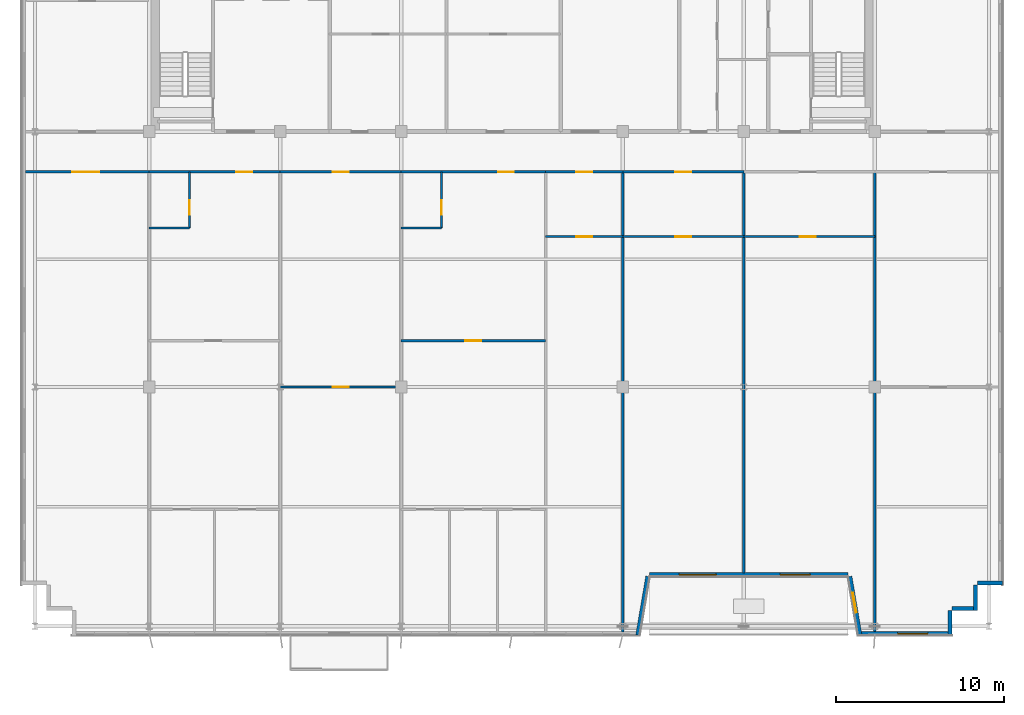
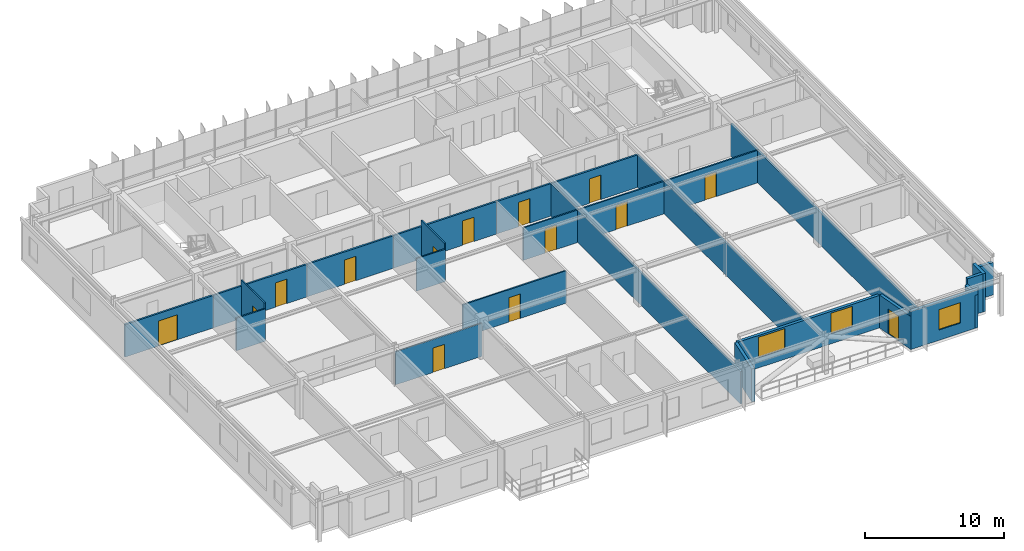
# One storey, part 18 of 23: 26 walls, 14 doors, 3 windows, 17 openings.
"""IFC4 building model written with IfcOpenShell, lengths in metres."""

from ifc_helpers import new_model, si_unit, direction, frame, frame_2d, origin, place, context, subcontext, project, spatial, rectangle, extrude, source, transform, mapped, material, layer, layer_set, type_object, element, fill, save


model = new_model("IFC4")

# Units and contexts
model_context = context("Model", 3, precision=1e-05, world=origin(), true_north=direction((0.0, 1.0)))
body_context = subcontext(model_context, "Body", "Model", "MODEL_VIEW")
ifc_project = project(units=[si_unit("LENGTHUNIT", "METRE"), si_unit("AREAUNIT", "SQUARE_METRE"), si_unit("VOLUMEUNIT", "CUBIC_METRE"), si_unit("PLANEANGLEUNIT", "RADIAN"), si_unit("MASSUNIT", "GRAM", prefix="KILO")], contexts=[model_context])

# Site, building, storey
site_placement = place(None, origin())
site = spatial("IfcSite", under=ifc_project, at=site_placement, CompositionType="ELEMENT")
building_placement = place(site_placement, origin())
building = spatial("IfcBuilding", under=site, at=building_placement, Name="Trelvane Seafront Commons", CompositionType="ELEMENT")
storey_placement = place(building_placement, frame((0.0, 0.0, 230.10009765625)))
storey = spatial("IfcBuildingStorey", under=building, at=storey_placement, Name="L60", CompositionType="ELEMENT", Elevation=230.10009765625)

# Walls
ifc_material_1 = material(Name="Precast concrete C40/50", Category="concrete")
ifc_layer_1 = layer(ifc_material_1, 0.239990234375, Name="ARCH-WALL-EXT240")
ifc_layer_set_1 = layer_set([ifc_layer_1], Name="Precast concrete C40/50")
wall_type_1 = type_object("IfcWallType", Name="ARCH-WALL-EXT240", PredefinedType="SOLIDWALL", material=ifc_layer_set_1)
wall_1_placement = place(storey_placement, frame((66.39990234375, 6.52001953125, 0.0), z_axis=(0.0, 0.0, 1.0), x_axis=(-1.0, 0.0, 0.0)))
element("IfcWall", 1, at=wall_1_placement, inside=storey, type_object=wall_type_1, Name="EW-L60-01219", PredefinedType="SOLIDWALL", context=body_context, shape_type="SweptSolid", body=[
    extrude(rectangle(XDim=1.5, YDim=0.239990234375, at=frame_2d((0.75, 0.0))), origin(), (0.0, 0.0, 1.0), 2.85986328125),
])
for number, where, z_axis, x_axis, name in (
    (2, (64.780029296875, 6.39990234375, 0.0), (0.0, 0.0, 1.0), (0.0, -1.0, 0.0), "EW-L60-01220"),
    (3, (64.89990234375, 5.02001953125, 0.0), (0.0, 0.0, 1.0), (-1.0, 0.0, 0.0), "EW-L60-01221"),
):
    element("IfcWall", number, at=place(storey_placement, frame(where, z_axis=z_axis, x_axis=x_axis)), inside=storey, type_object=wall_type_1, Name=name, PredefinedType="SOLIDWALL", context=body_context, shape_type="SweptSolid", body=[
        extrude(rectangle(XDim=1.5, YDim=0.239990234375, at=frame_2d((0.75, 0.0))), origin(), (0.0, 0.0, 1.0), 3.35986328125),
    ])
wall_2_placement = place(storey_placement, frame((63.280029296875, 4.89990234375, 0.0), z_axis=(0.0, 0.0, 1.0), x_axis=(0.0, -1.0, 0.0)))
element("IfcWall", 4, at=wall_2_placement, inside=storey, type_object=wall_type_1, Name="EW-L60-01222", PredefinedType="SOLIDWALL", context=body_context, shape_type="SweptSolid", body=[
    extrude(rectangle(XDim=1.5, YDim=0.239990234375, at=frame_2d((0.75, 0.0))), origin(), (0.0, 0.0, 1.0), 2.909912109375),
])

# Wall, opening, window
wall_3_placement = place(storey_placement, frame((63.39990234375, 3.52001953125, 0.0), z_axis=(0.0, 0.0, 1.0), x_axis=(-1.0, 0.0, 0.0)))
wall_3 = element("IfcWall", 5, at=wall_3_placement, inside=storey, type_object=wall_type_1, Name="EW-L60-01223", PredefinedType="SOLIDWALL", context=body_context, shape_type="SweptSolid", body=[
    extrude(rectangle(XDim=5.599853515625, YDim=0.239990234375, at=frame_2d((2.7998046875, 0.0))), origin(), (0.0, 0.0, 1.0), 3.35986328125),
])
opening_1_placement = place(wall_3_placement, frame((1.445068359375, 0.0, 0.89990234375)))
opening_1 = element("IfcOpeningElement", 6, at=opening_1_placement, cuts=wall_3, Name="Opening W01", PredefinedType="OPENING", context=body_context, shape_type="SweptSolid", body=[
    extrude(rectangle(XDim=1.800048828125, YDim=1.800048828125, at=frame_2d((0.89990234375, 0.89990234375))), frame((0.0, 0.1298828125, 0.0), z_axis=(0.0, -1.0, 0.0), x_axis=(1.0, 0.0, 0.0)), (0.0, 0.0, 1.0), 0.260009765625),
])
ifc_material_2 = material(Name="Low-E coastal double glazing", Category="glass")
window_type_1 = type_object("IfcWindowType", Name="ARCH-WIN-W01", PartitioningType="SINGLE_PANEL", PredefinedType="WINDOW", material=ifc_material_2)
shared_shape_1 = source(origin(), body_context, "Body", "SweptSolid", [
    extrude(rectangle(XDim=1.800048828125, YDim=1.800048828125, at=frame_2d((0.89990234375, 0.89990234375))), frame((0.0, 0.030029296875, 0.0), z_axis=(0.0, -1.0, 0.0), x_axis=(1.0, 0.0, 0.0)), (0.0, 0.0, 1.0), 0.06005859375),
])
window_1_placement = place(opening_1_placement, origin())
window_1 = element("IfcWindow", 7, at=window_1_placement, inside=storey, type_object=window_type_1, Name="WIN-L60-01478", OverallHeight=1.800048828125, OverallWidth=1.800048828125, PartitioningType="SINGLE_PANEL", PredefinedType="WINDOW", context=body_context, shape_type="MappedRepresentation", body=[
    mapped(shared_shape_1, transform((0.0, 0.0, 0.0), x_axis=(1.0, 0.0, 0.0), y_axis=(0.0, 1.0, 0.0), z_axis=(0.0, 0.0, 1.0), scale=1.0)),
])
fill(opening_1, window_1)

# Wall, opening, door
wall_4_placement = place(storey_placement, frame((57.918212890625, 3.42041015625, 0.0), z_axis=(0.0, 0.0, 1.0), x_axis=(-0.168923741424, 0.98562912375, 0.0)))
wall_4 = element("IfcWall", 8, at=wall_4_placement, inside=storey, type_object=wall_type_1, Name="EW-L60-01224", PredefinedType="SOLIDWALL", context=body_context, shape_type="SweptSolid", body=[
    extrude(rectangle(XDim=3.551025390625, YDim=0.239990234375, at=frame_2d((1.775390625, 0.0))), origin(), (0.0, 0.0, 1.0), 2.909912109375),
])
opening_2_placement = place(wall_4_placement, frame((1.3740234375, 0.0, 0.0)))
opening_2 = element("IfcOpeningElement", 9, at=opening_2_placement, cuts=wall_4, Name="Opening TD-L60-126", PredefinedType="OPENING", context=body_context, shape_type="SweptSolid", body=[
    extrude(rectangle(XDim=1.199951171875, YDim=2.199951171875, at=frame_2d((0.60009765625, 1.10009765625))), frame((0.0, 0.1298828125, 0.0), z_axis=(0.0, -1.0, 0.0), x_axis=(1.0, 0.0, 0.0)), (0.0, 0.0, 1.0), 0.260009765625),
])
ifc_material_3 = material(Name="Powder-coated aluminium frame", Category="aluminium")
door_type_1 = type_object("IfcDoorType", Name="ARCH-DR-BAL1200", OperationType="NOTDEFINED", PredefinedType="DOOR", material=ifc_material_3)
shared_shape_2 = source(origin(), body_context, "Body", "SweptSolid", [
    extrude(rectangle(XDim=1.199951171875, YDim=2.199951171875, at=frame_2d((0.60009765625, 1.10009765625))), frame((0.0, 0.02490234375, 0.0), z_axis=(0.0, -1.0, 0.0), x_axis=(1.0, 0.0, 0.0)), (0.0, 0.0, 1.0), 0.050048828125),
])
door_1_placement = place(opening_2_placement, origin())
door_1 = element("IfcDoor", 10, at=door_1_placement, inside=storey, type_object=door_type_1, Name="L60 Setback Terrace Access Door", OperationType="SINGLE_SWING_RIGHT", OverallHeight=2.199951171875, OverallWidth=1.199951171875, PredefinedType="DOOR", context=body_context, shape_type="MappedRepresentation", body=[
    mapped(shared_shape_2, transform((0.0, 0.0, 0.0), x_axis=(1.0, 0.0, 0.0), y_axis=(0.0, 1.0, 0.0), z_axis=(0.0, 0.0, 1.0), scale=1.0)),
])
fill(opening_2, door_1)

# Wall, openings, windows
wall_5_placement = place(storey_placement, frame((57.199951171875, 7.02001953125, 0.0), z_axis=(0.0, 0.0, 1.0), x_axis=(-1.0, 0.0, 0.0)))
wall_5 = element("IfcWall", 11, at=wall_5_placement, inside=storey, type_object=wall_type_1, Name="EW-L60-01225", PredefinedType="SOLIDWALL", context=body_context, shape_type="SweptSolid", body=[
    extrude(rectangle(XDim=11.800048828125, YDim=0.239990234375, at=frame_2d((5.89990234375, 0.0))), origin(), (0.0, 0.0, 1.0), 2.85986328125),
])
opening_3_placement = place(wall_5_placement, frame((2.2451171875, 0.0, 0.89990234375)))
opening_3 = element("IfcOpeningElement", 12, at=opening_3_placement, cuts=wall_5, Name="Opening W01", PredefinedType="OPENING", context=body_context, shape_type="SweptSolid", body=[
    extrude(rectangle(XDim=1.800048828125, YDim=1.800048828125, at=frame_2d((0.89990234375, 0.89990234375))), frame((0.0, 0.1298828125, 0.0), z_axis=(0.0, -1.0, 0.0), x_axis=(1.0, 0.0, 0.0)), (0.0, 0.0, 1.0), 0.260009765625),
])
opening_4_placement = place(wall_5_placement, frame((7.85498046875, 0.0, 0.89990234375)))
opening_4 = element("IfcOpeningElement", 13, at=opening_4_placement, cuts=wall_5, Name="Opening W02", PredefinedType="OPENING", context=body_context, shape_type="SweptSolid", body=[
    extrude(rectangle(XDim=2.199951171875, YDim=1.800048828125, at=frame_2d((1.10009765625, 0.89990234375))), frame((0.0, 0.1298828125, 0.0), z_axis=(0.0, -1.0, 0.0), x_axis=(1.0, 0.0, 0.0)), (0.0, 0.0, 1.0), 0.260009765625),
])
window_type_2 = type_object("IfcWindowType", Name="ARCH-WIN-W02", PartitioningType="SINGLE_PANEL", PredefinedType="WINDOW", material=ifc_material_2)
shared_shape_3 = source(origin(), body_context, "Body", "SweptSolid", [
    extrude(rectangle(XDim=2.199951171875, YDim=1.800048828125, at=frame_2d((1.10009765625, 0.89990234375))), frame((0.0, 0.030029296875, 0.0), z_axis=(0.0, -1.0, 0.0), x_axis=(1.0, 0.0, 0.0)), (0.0, 0.0, 1.0), 0.06005859375),
])
window_2_placement = place(opening_4_placement, origin())
window_2 = element("IfcWindow", 14, at=window_2_placement, inside=storey, type_object=window_type_2, Name="WIN-L60-01480", OverallHeight=1.800048828125, OverallWidth=2.199951171875, PartitioningType="SINGLE_PANEL", PredefinedType="WINDOW", context=body_context, shape_type="MappedRepresentation", body=[
    mapped(shared_shape_3, transform((0.0, 0.0, 0.0), x_axis=(1.0, 0.0, 0.0), y_axis=(0.0, 1.0, 0.0), z_axis=(0.0, 0.0, 1.0), scale=1.0)),
])
fill(opening_4, window_2)
window_3_placement = place(opening_3_placement, origin())
window_3 = element("IfcWindow", 15, at=window_3_placement, inside=storey, type_object=window_type_1, Name="WIN-L60-01479", OverallHeight=1.800048828125, OverallWidth=1.800048828125, PartitioningType="SINGLE_PANEL", PredefinedType="WINDOW", context=body_context, shape_type="MappedRepresentation", body=[
    mapped(shared_shape_1, transform((0.0, 0.0, 0.0), x_axis=(1.0, 0.0, 0.0), y_axis=(0.0, 1.0, 0.0), z_axis=(0.0, 0.0, 1.0), scale=1.0)),
])
fill(opening_3, window_3)

# Wall
wall_6_placement = place(storey_placement, frame((45.28173828125, 6.92041015625, 0.0), z_axis=(0.0, 0.0, 1.0), x_axis=(-0.168990530437, -0.98561767467, 0.0)))
element("IfcWall", 16, at=wall_6_placement, inside=storey, type_object=wall_type_1, Name="EW-L60-01226", PredefinedType="SOLIDWALL", context=body_context, shape_type="SweptSolid", body=[
    extrude(rectangle(XDim=3.551025390625, YDim=0.239990234375, at=frame_2d((1.775390625, 0.0))), origin(), (0.0, 0.0, 1.0), 2.909912109375),
])

# Wall, opening, door
ifc_material_4 = material(Name="Gypsum Drywall Acoustic Partition")
ifc_layer_2 = layer(ifc_material_4, 0.1201171875, Name="ARCH-WALL-PART120")
ifc_layer_set_2 = layer_set([ifc_layer_2], Name="Gypsum Drywall Acoustic Partition")
wall_type_2 = type_object("IfcWallType", Name="ARCH-WALL-PART120", PredefinedType="PARTITIONING", material=ifc_layer_set_2)
wall_7_placement = place(storey_placement, frame((18.0, 27.64990234375, 0.0), z_axis=(0.0, 0.0, 1.0), x_axis=(0.0, 1.0, 0.0)))
wall_7 = element("IfcWall", 17, at=wall_7_placement, inside=storey, type_object=wall_type_2, Name="W-L60-U2-BE-050", PredefinedType="PARTITIONING", context=body_context, shape_type="SweptSolid", body=[
    extrude(rectangle(XDim=3.35009765625, YDim=0.1201171875, at=frame_2d((1.675048828125, 0.0))), origin(), (0.0, 0.0, 1.0), 3.35986328125),
])
opening_5_placement = place(wall_7_placement, frame((0.800048828125, 0.0, 0.0)))
opening_5 = element("IfcOpeningElement", 18, at=opening_5_placement, cuts=wall_7, Name="Opening D-L60-30", PredefinedType="OPENING", context=body_context, shape_type="SweptSolid", body=[
    extrude(rectangle(XDim=0.85009765625, YDim=2.10009765625, at=frame_2d((0.425048828125, 1.050048828125))), frame((0.0, 0.070068359375, 0.0), z_axis=(0.0, -1.0, 0.0), x_axis=(1.0, 0.0, 0.0)), (0.0, 0.0, 1.0), 0.14013671875),
])
ifc_material_5 = material(Name="Acoustic timber door leaf", Category="wood")
door_type_2 = type_object("IfcDoorType", Name="ARCH-DR-INT850", OperationType="NOTDEFINED", PredefinedType="DOOR", material=ifc_material_5)
shared_shape_4 = source(origin(), body_context, "Body", "SweptSolid", [
    extrude(rectangle(XDim=0.85009765625, YDim=2.10009765625, at=frame_2d((0.425048828125, 1.050048828125))), frame((0.0, 0.02490234375, 0.0), z_axis=(0.0, -1.0, 0.0), x_axis=(1.0, 0.0, 0.0)), (0.0, 0.0, 1.0), 0.050048828125),
])
door_2_placement = place(opening_5_placement, origin())
door_2 = element("IfcDoor", 19, at=door_2_placement, inside=storey, type_object=door_type_2, Name="L60 Door 30", OperationType="SINGLE_SWING_RIGHT", OverallHeight=2.10009765625, OverallWidth=0.85009765625, PredefinedType="DOOR", context=body_context, shape_type="MappedRepresentation", body=[
    mapped(shared_shape_4, transform((0.0, 0.0, 0.0), x_axis=(1.0, 0.0, 0.0), y_axis=(0.0, 1.0, 0.0), z_axis=(0.0, 0.0, 1.0), scale=1.0)),
])
fill(opening_5, door_2)

# Wall
wall_8_placement = place(storey_placement, frame((15.60009765625, 27.64990234375, 0.0), z_axis=(0.0, 0.0, 1.0), x_axis=(1.0, 0.0, 0.0)))
element("IfcWall", 20, at=wall_8_placement, inside=storey, type_object=wall_type_2, Name="W-L60-U2-BS-051", PredefinedType="PARTITIONING", context=body_context, shape_type="SweptSolid", body=[
    extrude(rectangle(XDim=2.39990234375, YDim=0.1201171875, at=frame_2d((1.199951171875, 0.0))), origin(), (0.0, 0.0, 1.0), 2.85986328125),
])

# Wall, opening, door
wall_9_placement = place(storey_placement, frame((23.39990234375, 18.199951171875, 0.0), z_axis=(0.0, 0.0, 1.0), x_axis=(1.0, 0.0, 0.0)))
wall_9 = element("IfcWall", 21, at=wall_9_placement, inside=storey, type_object=wall_type_2, Name="W-L60-U3-DIV-057", PredefinedType="PARTITIONING", context=body_context, shape_type="SweptSolid", body=[
    extrude(rectangle(XDim=7.2001953125, YDim=0.1201171875, at=frame_2d((3.60009765625, 0.0))), origin(), (0.0, 0.0, 1.0), 2.909912109375),
])
opening_6_placement = place(wall_9_placement, frame((3.125, 0.0, 0.0)))
opening_6 = element("IfcOpeningElement", 22, at=opening_6_placement, cuts=wall_9, Name="Opening D-L60-35", PredefinedType="OPENING", context=body_context, shape_type="SweptSolid", body=[
    extrude(rectangle(XDim=0.949951171875, YDim=2.14990234375, at=frame_2d((0.47509765625, 1.074951171875))), frame((0.0, 0.070068359375, 0.0), z_axis=(0.0, -1.0, 0.0), x_axis=(1.0, 0.0, 0.0)), (0.0, 0.0, 1.0), 0.14013671875),
])
door_type_3 = type_object("IfcDoorType", Name="ARCH-DR-INT950", OperationType="NOTDEFINED", PredefinedType="DOOR", material=ifc_material_5)
shared_shape_5 = source(origin(), body_context, "Body", "SweptSolid", [
    extrude(rectangle(XDim=0.949951171875, YDim=2.14990234375, at=frame_2d((0.47509765625, 1.074951171875))), frame((0.0, 0.02490234375, 0.0), z_axis=(0.0, -1.0, 0.0), x_axis=(1.0, 0.0, 0.0)), (0.0, 0.0, 1.0), 0.050048828125),
])
door_3_placement = place(opening_6_placement, origin())
door_3 = element("IfcDoor", 23, at=door_3_placement, inside=storey, type_object=door_type_3, Name="L60 Door 35", OperationType="SINGLE_SWING_LEFT", OverallHeight=2.14990234375, OverallWidth=0.949951171875, PredefinedType="DOOR", context=body_context, shape_type="MappedRepresentation", body=[
    mapped(shared_shape_5, transform((0.0, 0.0, 0.0), x_axis=(1.0, 0.0, 0.0), y_axis=(0.0, 1.0, 0.0), z_axis=(0.0, 0.0, 1.0), scale=1.0)),
])
fill(opening_6, door_3)

wall_10_placement = place(storey_placement, frame((30.60009765625, 20.949951171875, 0.0), z_axis=(0.0, 0.0, 1.0), x_axis=(1.0, 0.0, 0.0)))
wall_10 = element("IfcWall", 24, at=wall_10_placement, inside=storey, type_object=wall_type_2, Name="W-L60-U4-KL-058", PredefinedType="PARTITIONING", context=body_context, shape_type="SweptSolid", body=[
    extrude(rectangle(XDim=8.599853515625, YDim=0.1201171875, at=frame_2d((4.2998046875, 0.0))), origin(), (0.0, 0.0, 1.0), 2.85986328125),
])
opening_7_placement = place(wall_10_placement, frame((3.824951171875, 0.0, 0.0)))
opening_7 = element("IfcOpeningElement", 25, at=opening_7_placement, cuts=wall_10, Name="Opening D-L60-36", PredefinedType="OPENING", context=body_context, shape_type="SweptSolid", body=[
    extrude(rectangle(XDim=0.949951171875, YDim=2.14990234375, at=frame_2d((0.47509765625, 1.074951171875))), frame((0.0, 0.070068359375, 0.0), z_axis=(0.0, -1.0, 0.0), x_axis=(1.0, 0.0, 0.0)), (0.0, 0.0, 1.0), 0.14013671875),
])
door_4_placement = place(opening_7_placement, origin())
door_4 = element("IfcDoor", 26, at=door_4_placement, inside=storey, type_object=door_type_3, Name="L60 Door 36", OperationType="SINGLE_SWING_RIGHT", OverallHeight=2.14990234375, OverallWidth=0.949951171875, PredefinedType="DOOR", context=body_context, shape_type="MappedRepresentation", body=[
    mapped(shared_shape_5, transform((0.0, 0.0, 0.0), x_axis=(1.0, 0.0, 0.0), y_axis=(0.0, 1.0, 0.0), z_axis=(0.0, 0.0, 1.0), scale=1.0)),
])
fill(opening_7, door_4)

wall_11_placement = place(storey_placement, frame((33.0, 27.64990234375, 0.0), z_axis=(0.0, 0.0, 1.0), x_axis=(0.0, 1.0, 0.0)))
wall_11 = element("IfcWall", 27, at=wall_11_placement, inside=storey, type_object=wall_type_2, Name="W-L60-U4-BE-059", PredefinedType="PARTITIONING", context=body_context, shape_type="SweptSolid", body=[
    extrude(rectangle(XDim=3.35009765625, YDim=0.1201171875, at=frame_2d((1.675048828125, 0.0))), origin(), (0.0, 0.0, 1.0), 3.35986328125),
])
opening_8_placement = place(wall_11_placement, frame((0.800048828125, 0.0, 0.0)))
opening_8 = element("IfcOpeningElement", 28, at=opening_8_placement, cuts=wall_11, Name="Opening D-L60-37", PredefinedType="OPENING", context=body_context, shape_type="SweptSolid", body=[
    extrude(rectangle(XDim=0.85009765625, YDim=2.10009765625, at=frame_2d((0.425048828125, 1.050048828125))), frame((0.0, 0.070068359375, 0.0), z_axis=(0.0, -1.0, 0.0), x_axis=(1.0, 0.0, 0.0)), (0.0, 0.0, 1.0), 0.14013671875),
])
door_5_placement = place(opening_8_placement, origin())
door_5 = element("IfcDoor", 29, at=door_5_placement, inside=storey, type_object=door_type_2, Name="L60 Door 37", OperationType="SINGLE_SWING_LEFT", OverallHeight=2.10009765625, OverallWidth=0.85009765625, PredefinedType="DOOR", context=body_context, shape_type="MappedRepresentation", body=[
    mapped(shared_shape_4, transform((0.0, 0.0, 0.0), x_axis=(1.0, 0.0, 0.0), y_axis=(0.0, 1.0, 0.0), z_axis=(0.0, 0.0, 1.0), scale=1.0)),
])
fill(opening_8, door_5)

# Wall
wall_12_placement = place(storey_placement, frame((30.60009765625, 27.64990234375, 0.0), z_axis=(0.0, 0.0, 1.0), x_axis=(1.0, 0.0, 0.0)))
element("IfcWall", 30, at=wall_12_placement, inside=storey, type_object=wall_type_2, Name="W-L60-U4-BS-060", PredefinedType="PARTITIONING", context=body_context, shape_type="SweptSolid", body=[
    extrude(rectangle(XDim=2.39990234375, YDim=0.1201171875, at=frame_2d((1.199951171875, 0.0))), origin(), (0.0, 0.0, 1.0), 2.85986328125),
])

# Wall, opening, door
wall_13_placement = place(storey_placement, frame((39.199951171875, 27.14990234375, 0.0), z_axis=(0.0, 0.0, 1.0), x_axis=(1.0, 0.0, 0.0)))
wall_13 = element("IfcWall", 31, at=wall_13_placement, inside=storey, type_object=wall_type_2, Name="W-L60-U5-DIV-068", PredefinedType="PARTITIONING", context=body_context, shape_type="SweptSolid", body=[
    extrude(rectangle(XDim=4.60009765625, YDim=0.1201171875, at=frame_2d((2.300048828125, 0.0))), origin(), (0.0, 0.0, 1.0), 2.85986328125),
])
opening_9_placement = place(wall_13_placement, frame((1.824951171875, 0.0, 0.0)))
opening_9 = element("IfcOpeningElement", 32, at=opening_9_placement, cuts=wall_13, Name="Opening D-L60-43", PredefinedType="OPENING", context=body_context, shape_type="SweptSolid", body=[
    extrude(rectangle(XDim=0.949951171875, YDim=2.14990234375, at=frame_2d((0.47509765625, 1.074951171875))), frame((0.0, 0.070068359375, 0.0), z_axis=(0.0, -1.0, 0.0), x_axis=(1.0, 0.0, 0.0)), (0.0, 0.0, 1.0), 0.14013671875),
])
door_6_placement = place(opening_9_placement, origin())
door_6 = element("IfcDoor", 33, at=door_6_placement, inside=storey, type_object=door_type_3, Name="L60 Door 43", OperationType="SINGLE_SWING_LEFT", OverallHeight=2.14990234375, OverallWidth=0.949951171875, PredefinedType="DOOR", context=body_context, shape_type="MappedRepresentation", body=[
    mapped(shared_shape_5, transform((0.0, 0.0, 0.0), x_axis=(1.0, 0.0, 0.0), y_axis=(0.0, 1.0, 0.0), z_axis=(0.0, 0.0, 1.0), scale=1.0)),
])
fill(opening_9, door_6)

wall_14_placement = place(storey_placement, frame((43.800048828125, 27.14990234375, 0.0), z_axis=(0.0, 0.0, 1.0), x_axis=(1.0, 0.0, 0.0)))
wall_14 = element("IfcWall", 34, at=wall_14_placement, inside=storey, type_object=wall_type_2, Name="W-L60-U6-DIV-070", PredefinedType="PARTITIONING", context=body_context, shape_type="SweptSolid", body=[
    extrude(rectangle(XDim=7.199951171875, YDim=0.1201171875, at=frame_2d((3.60009765625, 0.0))), origin(), (0.0, 0.0, 1.0), 2.85986328125),
])
opening_10_placement = place(wall_14_placement, frame((3.125, 0.0, 0.0)))
opening_10 = element("IfcOpeningElement", 35, at=opening_10_placement, cuts=wall_14, Name="Opening D-L60-45", PredefinedType="OPENING", context=body_context, shape_type="SweptSolid", body=[
    extrude(rectangle(XDim=0.949951171875, YDim=2.14990234375, at=frame_2d((0.47509765625, 1.074951171875))), frame((0.0, 0.070068359375, 0.0), z_axis=(0.0, -1.0, 0.0), x_axis=(1.0, 0.0, 0.0)), (0.0, 0.0, 1.0), 0.14013671875),
])
door_7_placement = place(opening_10_placement, origin())
door_7 = element("IfcDoor", 36, at=door_7_placement, inside=storey, type_object=door_type_3, Name="L60 Door 45", OperationType="SINGLE_SWING_LEFT", OverallHeight=2.14990234375, OverallWidth=0.949951171875, PredefinedType="DOOR", context=body_context, shape_type="MappedRepresentation", body=[
    mapped(shared_shape_5, transform((0.0, 0.0, 0.0), x_axis=(1.0, 0.0, 0.0), y_axis=(0.0, 1.0, 0.0), z_axis=(0.0, 0.0, 1.0), scale=1.0)),
])
fill(opening_10, door_7)

wall_15_placement = place(storey_placement, frame((51.0, 27.14990234375, 0.0), z_axis=(0.0, 0.0, 1.0), x_axis=(1.0, 0.0, 0.0)))
wall_15 = element("IfcWall", 37, at=wall_15_placement, inside=storey, type_object=wall_type_2, Name="W-L60-U7-DIV-072", PredefinedType="PARTITIONING", context=body_context, shape_type="SweptSolid", body=[
    extrude(rectangle(XDim=7.800048828125, YDim=0.1201171875, at=frame_2d((3.89990234375, 0.0))), origin(), (0.0, 0.0, 1.0), 2.85986328125),
])
opening_11_placement = place(wall_15_placement, frame((3.3330078125, 0.0, 0.0)))
opening_11 = element("IfcOpeningElement", 38, at=opening_11_placement, cuts=wall_15, Name="Opening D-L60-47", PredefinedType="OPENING", context=body_context, shape_type="SweptSolid", body=[
    extrude(rectangle(XDim=0.949951171875, YDim=2.14990234375, at=frame_2d((0.47509765625, 1.074951171875))), frame((0.0, 0.070068359375, 0.0), z_axis=(0.0, -1.0, 0.0), x_axis=(1.0, 0.0, 0.0)), (0.0, 0.0, 1.0), 0.14013671875),
])
door_8_placement = place(opening_11_placement, origin())
door_8 = element("IfcDoor", 39, at=door_8_placement, inside=storey, type_object=door_type_3, Name="L60 Door 47", OperationType="SINGLE_SWING_LEFT", OverallHeight=2.14990234375, OverallWidth=0.949951171875, PredefinedType="DOOR", context=body_context, shape_type="MappedRepresentation", body=[
    mapped(shared_shape_5, transform((0.0, 0.0, 0.0), x_axis=(1.0, 0.0, 0.0), y_axis=(0.0, 1.0, 0.0), z_axis=(0.0, 0.0, 1.0), scale=1.0)),
])
fill(opening_11, door_8)

# Walls
ifc_layer_3 = layer(ifc_material_4, 0.14990234375, Name="ARCH-WALL-PART150")
ifc_layer_set_3 = layer_set([ifc_layer_3], Name="Gypsum Drywall Acoustic Partition")
wall_type_3 = type_object("IfcWallType", Name="ARCH-WALL-PART150", PredefinedType="PARTITIONING", material=ifc_layer_set_3)
wall_16_placement = place(storey_placement, frame((43.800048828125, 3.625, 0.0), z_axis=(0.0, 0.0, 1.0), x_axis=(0.0, 1.0, 0.0)))
element("IfcWall", 40, at=wall_16_placement, inside=storey, type_object=wall_type_3, Name="W-L60-PW-5-045", PredefinedType="PARTITIONING", context=body_context, shape_type="SweptSolid", body=[
    extrude(rectangle(XDim=27.375, YDim=0.14990234375, at=frame_2d((13.6875, 0.0))), origin(), (0.0, 0.0, 1.0), 2.85986328125),
])
wall_17_placement = place(storey_placement, frame((51.0, 7.125, 0.0), z_axis=(0.0, 0.0, 1.0), x_axis=(0.0, 1.0, 0.0)))
element("IfcWall", 41, at=wall_17_placement, inside=storey, type_object=wall_type_3, Name="W-L60-PW-6-046", PredefinedType="PARTITIONING", context=body_context, shape_type="SweptSolid", body=[
    extrude(rectangle(XDim=23.875, YDim=0.14990234375, at=frame_2d((11.9375, 0.0))), origin(), (0.0, 0.0, 1.0), 2.85986328125),
])
wall_18_placement = place(storey_placement, frame((58.800048828125, 3.625, 0.0), z_axis=(0.0, 0.0, 1.0), x_axis=(0.0, 1.0, 0.0)))
element("IfcWall", 42, at=wall_18_placement, inside=storey, type_object=wall_type_3, Name="W-L60-PW-7-047", PredefinedType="PARTITIONING", context=body_context, shape_type="SweptSolid", body=[
    extrude(rectangle(XDim=27.375, YDim=0.14990234375, at=frame_2d((13.6875, 0.0))), origin(), (0.0, 0.0, 1.0), 2.85986328125),
])

# Wall, opening, door
wall_19_placement = place(storey_placement, frame((8.22509765625, 31.0, 0.0), z_axis=(0.0, 0.0, 1.0), x_axis=(1.0, 0.0, 0.0)))
wall_19 = element("IfcWall", 43, at=wall_19_placement, inside=storey, type_object=wall_type_3, Name="W-L60-CS-BAY-1-048", PredefinedType="PARTITIONING", context=body_context, shape_type="SweptSolid", body=[
    extrude(rectangle(XDim=7.375, YDim=0.14990234375, at=frame_2d((3.6875, 0.0))), origin(), (0.0, 0.0, 1.0), 2.85986328125),
])
opening_12_placement = place(wall_19_placement, frame((2.794921875, 0.0, 0.0)))
opening_12 = element("IfcOpeningElement", 44, at=opening_12_placement, cuts=wall_19, Name="Opening D-L60-28", PredefinedType="OPENING", context=body_context, shape_type="SweptSolid", body=[
    extrude(rectangle(XDim=1.60009765625, YDim=2.199951171875, at=frame_2d((0.800048828125, 1.10009765625))), frame((0.0, 0.0849609375, 0.0), z_axis=(0.0, -1.0, 0.0), x_axis=(1.0, 0.0, 0.0)), (0.0, 0.0, 1.0), 0.169921875),
])
door_type_4 = type_object("IfcDoorType", Name="ARCH-DR-GLZ1600", OperationType="DOUBLE_DOOR_SINGLE_SWING", PredefinedType="DOOR", material=ifc_material_5)
shared_shape_6 = source(origin(), body_context, "Body", "SweptSolid", [
    extrude(rectangle(XDim=1.60009765625, YDim=2.199951171875, at=frame_2d((0.800048828125, 1.10009765625))), frame((0.0, 0.02490234375, 0.0), z_axis=(0.0, -1.0, 0.0), x_axis=(1.0, 0.0, 0.0)), (0.0, 0.0, 1.0), 0.050048828125),
])
door_9_placement = place(opening_12_placement, origin())
door_9 = element("IfcDoor", 45, at=door_9_placement, inside=storey, type_object=door_type_4, Name="L60 Commons Lounge 01 Door", OperationType="DOUBLE_DOOR_SINGLE_SWING", OverallHeight=2.199951171875, OverallWidth=1.60009765625, PredefinedType="DOOR", context=body_context, shape_type="MappedRepresentation", body=[
    mapped(shared_shape_6, transform((0.0, 0.0, 0.0), x_axis=(1.0, 0.0, 0.0), y_axis=(0.0, 1.0, 0.0), z_axis=(0.0, 0.0, 1.0), scale=1.0)),
])
fill(opening_12, door_9)

wall_20_placement = place(storey_placement, frame((15.60009765625, 31.0, 0.0), z_axis=(0.0, 0.0, 1.0), x_axis=(1.0, 0.0, 0.0)))
wall_20 = element("IfcWall", 46, at=wall_20_placement, inside=storey, type_object=wall_type_3, Name="W-L60-CS-BAY-2-052", PredefinedType="PARTITIONING", context=body_context, shape_type="SweptSolid", body=[
    extrude(rectangle(XDim=7.7998046875, YDim=0.14990234375, at=frame_2d((3.89990234375, 0.0))), origin(), (0.0, 0.0, 1.0), 2.85986328125),
])
opening_13_placement = place(wall_20_placement, frame((5.172119140625, 0.0, 0.0)))
opening_13 = element("IfcOpeningElement", 47, at=opening_13_placement, cuts=wall_20, Name="Opening FD-L60-31", PredefinedType="OPENING", context=body_context, shape_type="SweptSolid", body=[
    extrude(rectangle(XDim=0.949951171875, YDim=2.14990234375, at=frame_2d((0.47509765625, 1.074951171875))), frame((0.0, 0.0849609375, 0.0), z_axis=(0.0, -1.0, 0.0), x_axis=(1.0, 0.0, 0.0)), (0.0, 0.0, 1.0), 0.169921875),
])
door_type_5 = type_object("IfcDoorType", Name="ARCH-DR-FD60-950", OperationType="NOTDEFINED", PredefinedType="DOOR", material=ifc_material_3)
door_10_placement = place(opening_13_placement, origin())
door_10 = element("IfcDoor", 48, at=door_10_placement, inside=storey, type_object=door_type_5, Name="L60 Unit 02 Entrance Door", OperationType="SINGLE_SWING_LEFT", OverallHeight=2.14990234375, OverallWidth=0.949951171875, PredefinedType="DOOR", context=body_context, shape_type="MappedRepresentation", body=[
    mapped(shared_shape_5, transform((0.0, 0.0, 0.0), x_axis=(1.0, 0.0, 0.0), y_axis=(0.0, 1.0, 0.0), z_axis=(0.0, 0.0, 1.0), scale=1.0)),
])
fill(opening_13, door_10)

wall_21_placement = place(storey_placement, frame((23.39990234375, 31.0, 0.0), z_axis=(0.0, 0.0, 1.0), x_axis=(1.0, 0.0, 0.0)))
wall_21 = element("IfcWall", 49, at=wall_21_placement, inside=storey, type_object=wall_type_3, Name="W-L60-CS-BAY-3-056", PredefinedType="PARTITIONING", context=body_context, shape_type="SweptSolid", body=[
    extrude(rectangle(XDim=7.2001953125, YDim=0.14990234375, at=frame_2d((3.60009765625, 0.0))), origin(), (0.0, 0.0, 1.0), 2.85986328125),
])
opening_14_placement = place(wall_21_placement, frame((3.125, 0.0, 0.0)))
opening_14 = element("IfcOpeningElement", 50, at=opening_14_placement, cuts=wall_21, Name="Opening FD-L60-34", PredefinedType="OPENING", context=body_context, shape_type="SweptSolid", body=[
    extrude(rectangle(XDim=0.949951171875, YDim=2.14990234375, at=frame_2d((0.47509765625, 1.074951171875))), frame((0.0, 0.0849609375, 0.0), z_axis=(0.0, -1.0, 0.0), x_axis=(1.0, 0.0, 0.0)), (0.0, 0.0, 1.0), 0.169921875),
])
door_11_placement = place(opening_14_placement, origin())
door_11 = element("IfcDoor", 51, at=door_11_placement, inside=storey, type_object=door_type_5, Name="L60 Bay 03 Entrance Door", OperationType="SINGLE_SWING_RIGHT", OverallHeight=2.14990234375, OverallWidth=0.949951171875, PredefinedType="DOOR", context=body_context, shape_type="MappedRepresentation", body=[
    mapped(shared_shape_5, transform((0.0, 0.0, 0.0), x_axis=(1.0, 0.0, 0.0), y_axis=(0.0, 1.0, 0.0), z_axis=(0.0, 0.0, 1.0), scale=1.0)),
])
fill(opening_14, door_11)

wall_22_placement = place(storey_placement, frame((30.60009765625, 31.0, 0.0), z_axis=(0.0, 0.0, 1.0), x_axis=(1.0, 0.0, 0.0)))
wall_22 = element("IfcWall", 52, at=wall_22_placement, inside=storey, type_object=wall_type_3, Name="W-L60-CS-BAY-4-061", PredefinedType="PARTITIONING", context=body_context, shape_type="SweptSolid", body=[
    extrude(rectangle(XDim=8.599853515625, YDim=0.14990234375, at=frame_2d((4.2998046875, 0.0))), origin(), (0.0, 0.0, 1.0), 2.85986328125),
])
opening_15_placement = place(wall_22_placement, frame((5.76708984375, 0.0, 0.0)))
opening_15 = element("IfcOpeningElement", 53, at=opening_15_placement, cuts=wall_22, Name="Opening FD-L60-38", PredefinedType="OPENING", context=body_context, shape_type="SweptSolid", body=[
    extrude(rectangle(XDim=0.949951171875, YDim=2.14990234375, at=frame_2d((0.47509765625, 1.074951171875))), frame((0.0, 0.0849609375, 0.0), z_axis=(0.0, -1.0, 0.0), x_axis=(1.0, 0.0, 0.0)), (0.0, 0.0, 1.0), 0.169921875),
])
door_12_placement = place(opening_15_placement, origin())
door_12 = element("IfcDoor", 54, at=door_12_placement, inside=storey, type_object=door_type_5, Name="L60 Unit 04 Entrance Door", OperationType="SINGLE_SWING_RIGHT", OverallHeight=2.14990234375, OverallWidth=0.949951171875, PredefinedType="DOOR", context=body_context, shape_type="MappedRepresentation", body=[
    mapped(shared_shape_5, transform((0.0, 0.0, 0.0), x_axis=(1.0, 0.0, 0.0), y_axis=(0.0, 1.0, 0.0), z_axis=(0.0, 0.0, 1.0), scale=1.0)),
])
fill(opening_15, door_12)

wall_23_placement = place(storey_placement, frame((39.199951171875, 31.0, 0.0), z_axis=(0.0, 0.0, 1.0), x_axis=(1.0, 0.0, 0.0)))
wall_23 = element("IfcWall", 55, at=wall_23_placement, inside=storey, type_object=wall_type_3, Name="W-L60-CS-BAY-5-067", PredefinedType="PARTITIONING", context=body_context, shape_type="SweptSolid", body=[
    extrude(rectangle(XDim=4.60009765625, YDim=0.14990234375, at=frame_2d((2.300048828125, 0.0))), origin(), (0.0, 0.0, 1.0), 2.85986328125),
])
opening_16_placement = place(wall_23_placement, frame((1.824951171875, 0.0, 0.0)))
opening_16 = element("IfcOpeningElement", 56, at=opening_16_placement, cuts=wall_23, Name="Opening FD-L60-42", PredefinedType="OPENING", context=body_context, shape_type="SweptSolid", body=[
    extrude(rectangle(XDim=0.949951171875, YDim=2.14990234375, at=frame_2d((0.47509765625, 1.074951171875))), frame((0.0, 0.0849609375, 0.0), z_axis=(0.0, -1.0, 0.0), x_axis=(1.0, 0.0, 0.0)), (0.0, 0.0, 1.0), 0.169921875),
])
door_13_placement = place(opening_16_placement, origin())
door_13 = element("IfcDoor", 57, at=door_13_placement, inside=storey, type_object=door_type_5, Name="L60 Bay 05 Entrance Door", OperationType="SINGLE_SWING_RIGHT", OverallHeight=2.14990234375, OverallWidth=0.949951171875, PredefinedType="DOOR", context=body_context, shape_type="MappedRepresentation", body=[
    mapped(shared_shape_5, transform((0.0, 0.0, 0.0), x_axis=(1.0, 0.0, 0.0), y_axis=(0.0, 1.0, 0.0), z_axis=(0.0, 0.0, 1.0), scale=1.0)),
])
fill(opening_16, door_13)

wall_24_placement = place(storey_placement, frame((43.800048828125, 31.0, 0.0), z_axis=(0.0, 0.0, 1.0), x_axis=(1.0, 0.0, 0.0)))
wall_24 = element("IfcWall", 58, at=wall_24_placement, inside=storey, type_object=wall_type_3, Name="W-L60-CS-BAY-6-069", PredefinedType="PARTITIONING", context=body_context, shape_type="SweptSolid", body=[
    extrude(rectangle(XDim=7.199951171875, YDim=0.14990234375, at=frame_2d((3.60009765625, 0.0))), origin(), (0.0, 0.0, 1.0), 2.85986328125),
])
opening_17_placement = place(wall_24_placement, frame((3.125, 0.0, 0.0)))
opening_17 = element("IfcOpeningElement", 59, at=opening_17_placement, cuts=wall_24, Name="Opening FD-L60-44", PredefinedType="OPENING", context=body_context, shape_type="SweptSolid", body=[
    extrude(rectangle(XDim=0.949951171875, YDim=2.14990234375, at=frame_2d((0.47509765625, 1.074951171875))), frame((0.0, 0.0849609375, 0.0), z_axis=(0.0, -1.0, 0.0), x_axis=(1.0, 0.0, 0.0)), (0.0, 0.0, 1.0), 0.169921875),
])
door_14_placement = place(opening_17_placement, origin())
door_14 = element("IfcDoor", 60, at=door_14_placement, inside=storey, type_object=door_type_5, Name="L60 Bay 06 Entrance Door", OperationType="SINGLE_SWING_RIGHT", OverallHeight=2.14990234375, OverallWidth=0.949951171875, PredefinedType="DOOR", context=body_context, shape_type="MappedRepresentation", body=[
    mapped(shared_shape_5, transform((0.0, 0.0, 0.0), x_axis=(1.0, 0.0, 0.0), y_axis=(0.0, 1.0, 0.0), z_axis=(0.0, 0.0, 1.0), scale=1.0)),
])
fill(opening_17, door_14)

save(model, "model.ifc")
